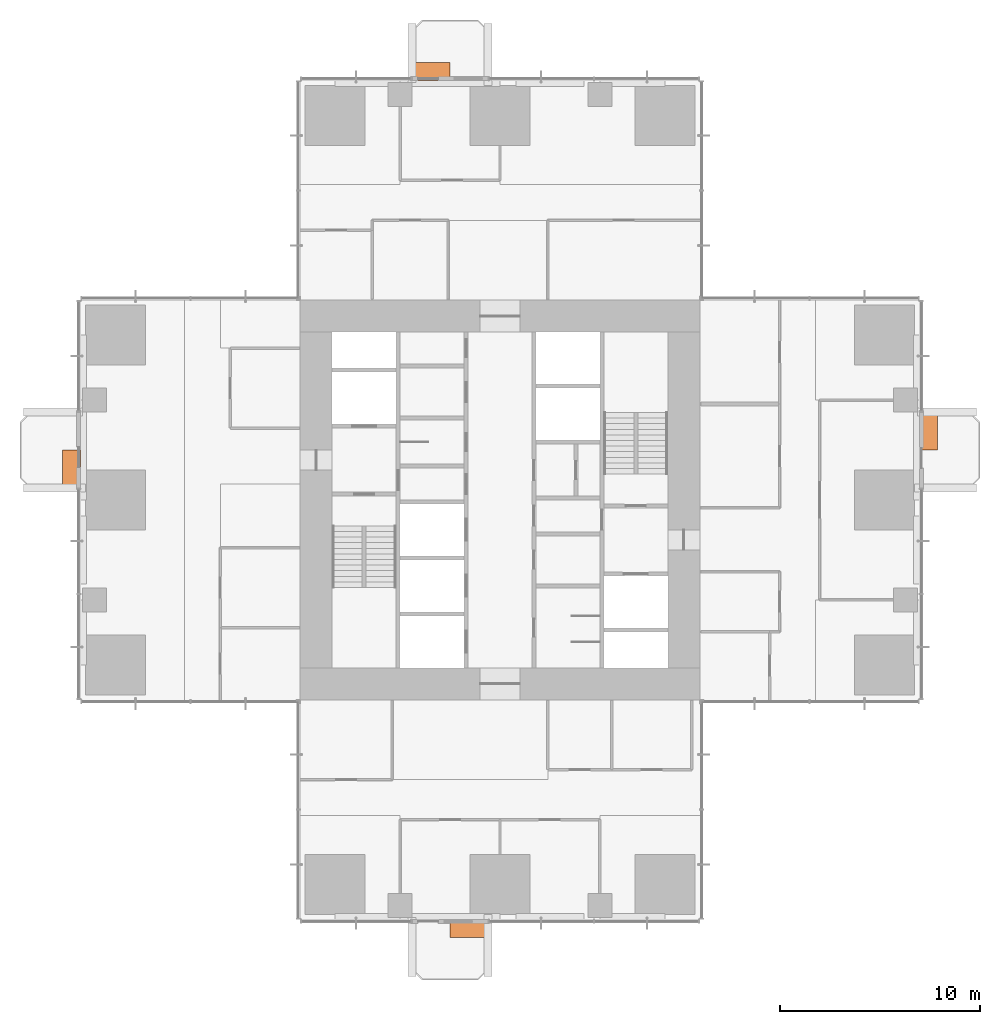
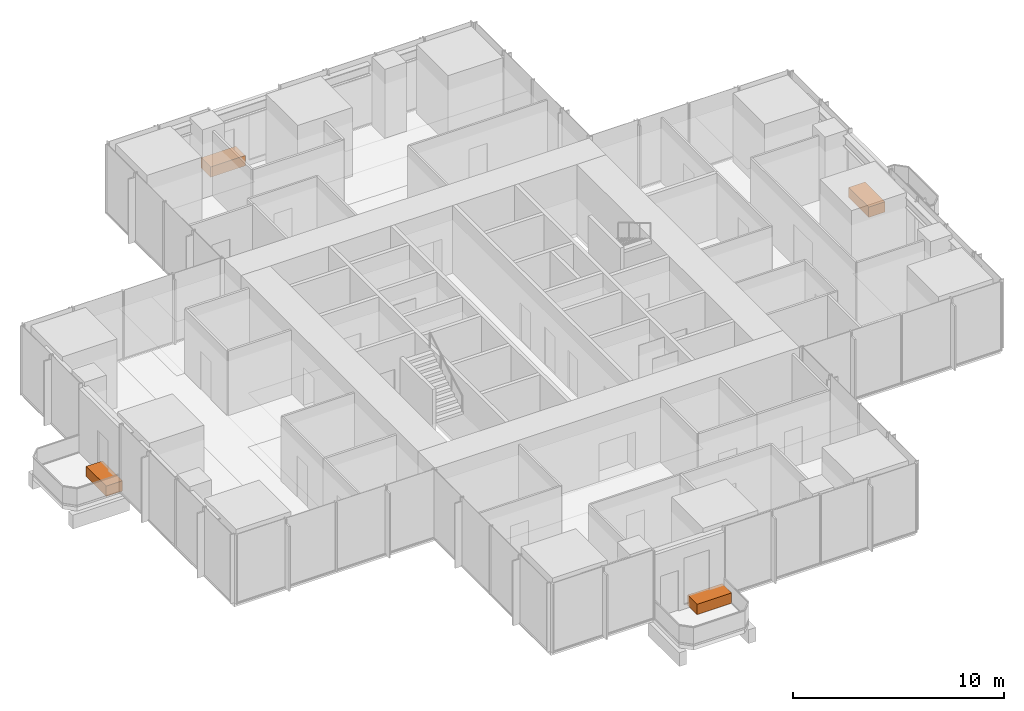
# One storey, part 13 of 13: 4 proxies.
"""IFC4 building model written with IfcOpenShell, lengths in metres."""

from ifc_helpers import new_model, si_unit, direction, frame, origin, origin_2d, place, context, subcontext, project, spatial, rectangle, extrude, element, save


model = new_model("IFC4")

# Units and contexts
model_context = context("Model", 3, precision=1e-05, world=origin(), true_north=direction((0.0, 1.0)))
body_context = subcontext(model_context, "Body", "Model", "MODEL_VIEW")
ifc_project = project(units=[si_unit("LENGTHUNIT", "METRE"), si_unit("AREAUNIT", "SQUARE_METRE"), si_unit("VOLUMEUNIT", "CUBIC_METRE"), si_unit("PLANEANGLEUNIT", "RADIAN"), si_unit("MASSUNIT", "GRAM", prefix="KILO")], contexts=[model_context])

# Site, building, storey
site_placement = place(None, origin())
site = spatial("IfcSite", under=ifc_project, at=site_placement, CompositionType="ELEMENT")
building_placement = place(site_placement, origin())
building = spatial("IfcBuilding", under=site, at=building_placement, Name="Svetlomir Tower", CompositionType="ELEMENT")
storey_placement = place(building_placement, frame((0.0, 0.0, 116.5)))
storey = spatial("IfcBuildingStorey", under=building, at=storey_placement, Name="L27", CompositionType="ELEMENT", Elevation=116.5)

# Proxies
proxy_1_placement = place(storey_placement, frame((19.449951171875, -0.449951171875, 0.0400390625), z_axis=(0.0, 0.0, 1.0), x_axis=(1.0, 0.0, 0.0)))
element("IfcBuildingElementProxy", 1, at=proxy_1_placement, inside=storey, Name="Tree planter S L27", ObjectType="PLANTER", PredefinedType="USERDEFINED", context=body_context, shape_type="SweptSolid", body=[
    extrude(rectangle(XDim=1.89990234375, YDim=0.89990234375, at=origin_2d()), origin(), (0.0, 0.0, 1.0), 0.60009765625),
])
proxy_2_placement = place(storey_placement, frame((42.449951171875, 24.449951171875, 0.0400390625), z_axis=(0.0, 0.0, 1.0), x_axis=(1.0, 0.0, 0.0)))
element("IfcBuildingElementProxy", 2, at=proxy_2_placement, inside=storey, Name="Tree planter E L27", ObjectType="PLANTER", PredefinedType="USERDEFINED", context=body_context, shape_type="SweptSolid", body=[
    extrude(rectangle(XDim=0.89990234375, YDim=1.89990234375, at=origin_2d()), origin(), (0.0, 0.0, 1.0), 0.60009765625),
])
proxy_3_placement = place(storey_placement, frame((17.550048828125, 42.449951171875, 0.0400390625), z_axis=(0.0, 0.0, 1.0), x_axis=(1.0, 0.0, 0.0)))
element("IfcBuildingElementProxy", 3, at=proxy_3_placement, inside=storey, Name="Tree planter N L27", ObjectType="PLANTER", PredefinedType="USERDEFINED", context=body_context, shape_type="SweptSolid", body=[
    extrude(rectangle(XDim=1.89990234375, YDim=0.89990234375, at=origin_2d()), origin(), (0.0, 0.0, 1.0), 0.60009765625),
])
proxy_4_placement = place(storey_placement, frame((-0.449951171875, 22.550048828125, 0.0400390625), z_axis=(0.0, 0.0, 1.0), x_axis=(1.0, 0.0, 0.0)))
element("IfcBuildingElementProxy", 4, at=proxy_4_placement, inside=storey, Name="Tree planter W L27", ObjectType="PLANTER", PredefinedType="USERDEFINED", context=body_context, shape_type="SweptSolid", body=[
    extrude(rectangle(XDim=0.89990234375, YDim=1.89990234375, at=origin_2d()), origin(), (0.0, 0.0, 1.0), 0.60009765625),
])

save(model, "model.ifc")
